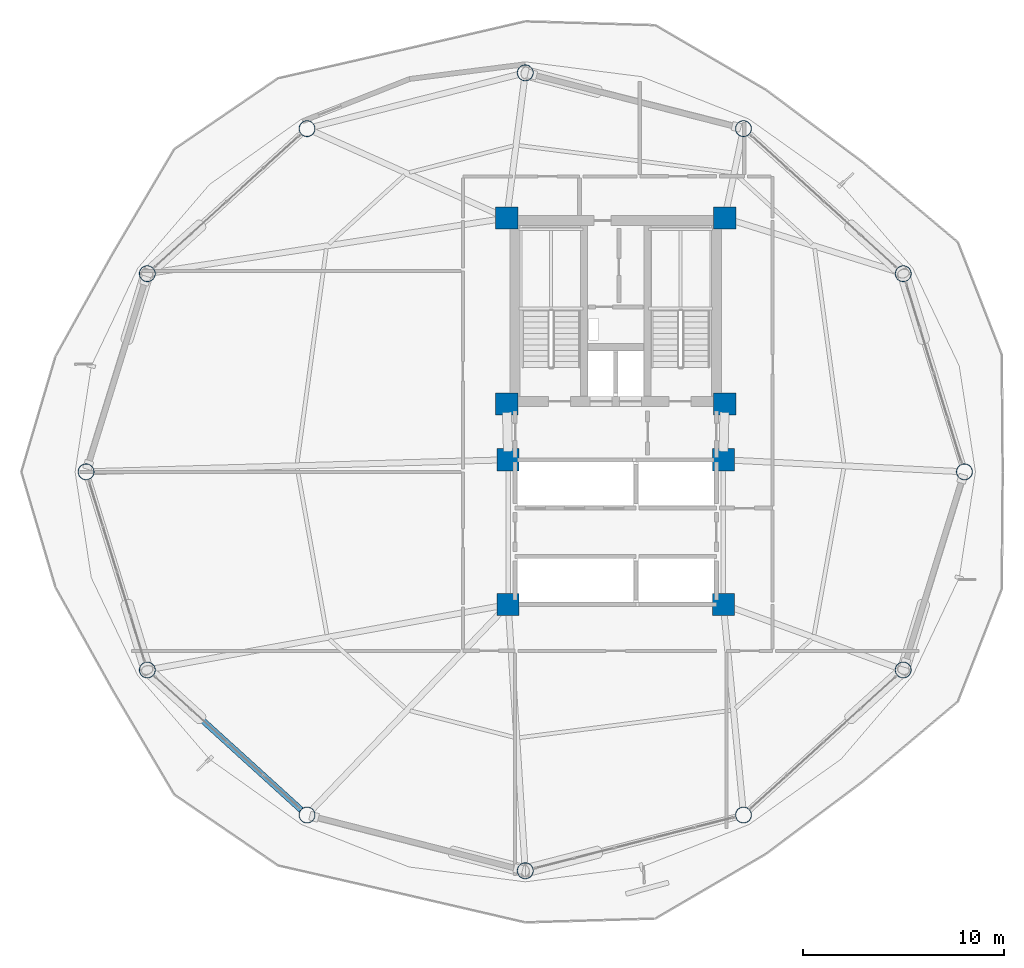
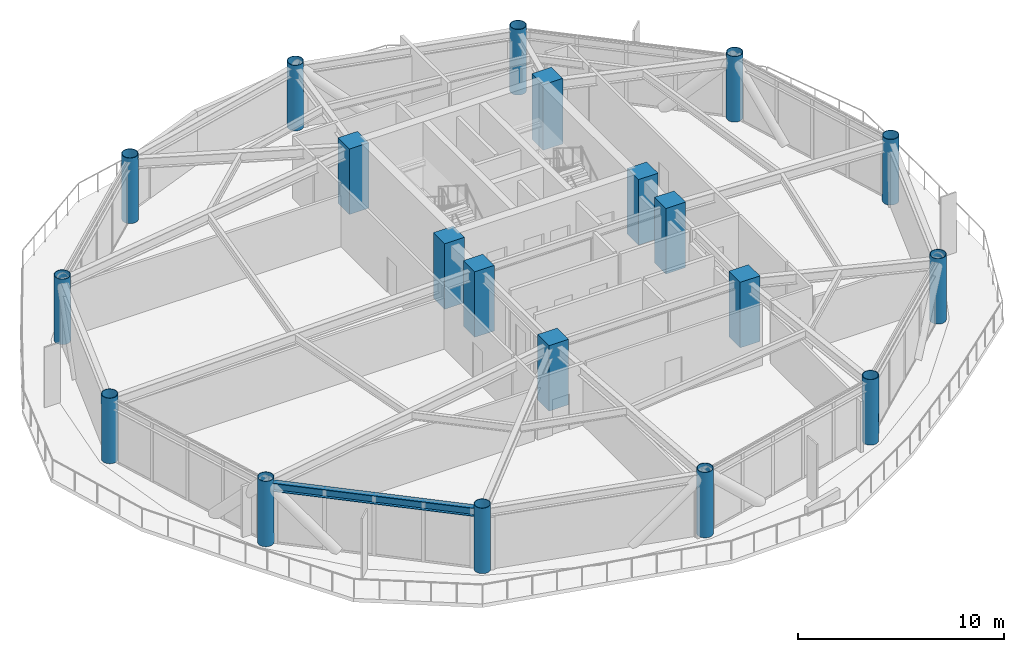
# One storey, part 1 of 23: 20 columns, 1 beam.
"""IFC4 building model written with IfcOpenShell, lengths in metres."""

from ifc_helpers import new_model, si_unit, direction, frame, origin, origin_2d, place, context, subcontext, project, spatial, rectangle, hollow_circle, i_section, extrude, material, material_profile, profile_set, type_object, element, save


model = new_model("IFC4")

# Units and contexts
model_context = context("Model", 3, precision=1e-05, world=origin(), true_north=direction((0.0, 1.0)))
body_context = subcontext(model_context, "Body", "Model", "MODEL_VIEW")
ifc_project = project(units=[si_unit("LENGTHUNIT", "METRE"), si_unit("AREAUNIT", "SQUARE_METRE"), si_unit("VOLUMEUNIT", "CUBIC_METRE"), si_unit("PLANEANGLEUNIT", "RADIAN"), si_unit("MASSUNIT", "GRAM", prefix="KILO")], contexts=[model_context])

# Site, building, storey
site_placement = place(None, origin())
site = spatial("IfcSite", under=ifc_project, at=site_placement, CompositionType="ELEMENT")
building_placement = place(site_placement, origin())
building = spatial("IfcBuilding", under=site, at=building_placement, Name="Varnakorn Sky Granary", CompositionType="ELEMENT")
storey_placement = place(building_placement, frame((0.0, 0.0, 83.699951171875)))
storey = spatial("IfcBuildingStorey", under=building, at=storey_placement, Name="L20", CompositionType="ELEMENT", Elevation=83.699951171875)

# Columns
ifc_material_1 = material(Name="Steel S460M", Category="steel")
ifc_material_profile_1 = material_profile(ifc_material_1, hollow_circle(Radius=0.406494140625, WallThickness=0.030029296875, at=origin_2d()), Name="CHS 813x30")
ifc_profile_set_1 = profile_set([ifc_material_profile_1], Name="Steel S460M")
column_type_1 = type_object("IfcColumnType", Name="COL-DC-Z2", PredefinedType="COLUMN", material=ifc_profile_set_1)
for number, where, z_axis, x_axis, name in (
    (1, (20.340087890625, 0.0, 0.0), (0.002583156704, 0.0, 0.999996663645), (0.0, 1.0, 0.0), "Drum Perimeter Column DC01 L20"),
    (2, (17.297119140625, 9.853515625, 0.0), (0.002205134647, 0.001008061553, 0.999997060592), (-0.415759760268, 0.909474475586, 0.0), "Drum Perimeter Column DC02 L20"),
    (3, (9.3525390625, 17.06689453125, 0.0), (0.001260077684, 0.001764108758, 0.999997650059), (-0.813733471207, 0.581238193719, 0.0), "Drum Perimeter Column DC03 L20"),
    (4, (-1.5, 19.842041015625, 0.0), (0.0, 0.002079128571, 0.99999783861), (-1.0, 0.0, 0.0), "Drum Perimeter Column DC04 L20"),
    (5, (-12.3525390625, 17.06689453125, 0.0), (-0.001260077684, 0.001764108758, 0.999997650059), (-0.813733471207, -0.581238193719, 0.0), "Drum Perimeter Column DC05 L20"),
    (6, (-20.297119140625, 9.853515625, 0.0), (-0.002205134647, 0.001008061553, 0.999997060592), (-0.415759760268, -0.909474475586, 0.0), "Drum Perimeter Column DC06 L20"),
    (7, (-23.340087890625, 0.0, 0.0), (-0.002583156704, 0.0, 0.999996663645), (0.0, -1.0, 0.0), "Drum Perimeter Column DC07 L20"),
    (8, (-20.297119140625, -9.853515625, 0.0), (-0.002205134647, -0.001008061553, 0.999997060592), (0.415759760268, -0.909474475586, 0.0), "Drum Perimeter Column DC08 L20"),
    (9, (-12.3525390625, -17.06689453125, 0.0), (-0.001260077684, -0.001764108758, 0.999997650059), (0.813733471207, -0.581238193719, 0.0), "Drum Perimeter Column DC09 L20"),
    (10, (-1.5, -19.842041015625, 0.0), (0.0, -0.002079128571, 0.99999783861), (1.0, 0.0, 0.0), "Drum Perimeter Column DC10 L20"),
    (11, (9.3525390625, -17.06689453125, 0.0), (0.001260077684, -0.001764108758, 0.999997650059), (0.813733471207, 0.581238193719, 0.0), "Drum Perimeter Column DC11 L20"),
    (12, (17.297119140625, -9.853515625, 0.0), (0.002205134647, -0.001008061553, 0.999997060592), (0.415759760268, 0.909474475586, 0.0), "Drum Perimeter Column DC12 L20"),
):
    element("IfcColumn", number, at=place(storey_placement, frame(where, z_axis=z_axis, x_axis=x_axis)), inside=storey, type_object=column_type_1, Name=name, PredefinedType="COLUMN", context=body_context, shape_type="SweptSolid", body=[
        extrude(hollow_circle(Radius=0.406494140625, WallThickness=0.030029296875, at=origin_2d()), origin(), (0.0, 0.0, 1.0), 3.875),
    ])
ifc_material_2 = material(Name="Concrete C60/75", Category="concrete")
ifc_material_profile_2 = material_profile(ifc_material_2, rectangle(XDim=1.10009765625, YDim=1.10009765625, at=origin_2d()), Name="RC 1100x1100")
ifc_profile_set_2 = profile_set([ifc_material_profile_2], Name="Concrete C60/75")
column_type_2 = type_object("IfcColumnType", Name="COL-MC-Z2", PredefinedType="COLUMN", material=ifc_profile_set_2)
for number, where, z_axis, x_axis, name in (
    (13, (-2.419921875, 12.6201171875, 0.0), (0.0, 0.0, 1.0), (1.0, 0.0, 0.0), "Backbone Mega-Column MC1 L20"),
    (14, (8.419921875, 12.6201171875, 0.0), (0.0, 0.0, 1.0), (1.0, 0.0, 0.0), "Backbone Mega-Column MC2 L20"),
    (15, (-2.419921875, 3.3798828125, 0.0), (0.0, 0.0, 1.0), (1.0, 0.0, 0.0), "Backbone Mega-Column MC3 L20"),
    (16, (8.419921875, 3.3798828125, 0.0), (0.0, 0.0, 1.0), (1.0, 0.0, 0.0), "Backbone Mega-Column MC4 L20"),
    (17, (-2.35009765625, 0.60009765625, 0.0), (0.0, 0.0, 1.0), (1.0, 0.0, 0.0), "Backbone Mega-Column MC5 L20"),
    (18, (8.35009765625, 0.60009765625, 0.0), (0.0, 0.0, 1.0), (1.0, 0.0, 0.0), "Backbone Mega-Column MC6 L20"),
    (19, (-2.35009765625, -6.60009765625, 0.0), (0.0, 0.0, 1.0), (1.0, 0.0, 0.0), "Backbone Mega-Column MC7 L20"),
    (20, (8.35009765625, -6.60009765625, 0.0), (0.0, 0.0, 1.0), (1.0, 0.0, 0.0), "Backbone Mega-Column MC8 L20"),
):
    element("IfcColumn", number, at=place(storey_placement, frame(where, z_axis=z_axis, x_axis=x_axis)), inside=storey, type_object=column_type_2, Name=name, PredefinedType="COLUMN", context=body_context, shape_type="SweptSolid", body=[
        extrude(rectangle(XDim=1.10009765625, YDim=1.10009765625, at=origin_2d()), origin(), (0.0, 0.0, 1.0), 3.875),
    ])

# Beam
ifc_material_3 = material(Name="Steel S355JR", Category="steel")
ifc_material_profile_3 = material_profile(ifc_material_3, i_section(OverallWidth=0.300048828125, OverallDepth=0.5, WebThickness=0.014404296875, FlangeThickness=0.028076171875, at=origin_2d()), Name="HE 500 B")
ifc_profile_set_3 = profile_set([ifc_material_profile_3], Name="Steel S355JR")
beam_type = type_object("IfcBeamType", Name="BM-SPD-Z2", PredefinedType="SPANDREL", material=ifc_profile_set_3)
beam_placement = place(storey_placement, frame((-20.015869140625, -10.12060546875, 3.39013671875), z_axis=(0.740370602022, -0.67219890781, 0.0), x_axis=(0.67219890781, 0.740370602022, 0.0)))
element("IfcBeam", 21, at=beam_placement, inside=storey, type_object=beam_type, Name="Perimeter Spandrel Ring Beam RB08 L20", PredefinedType="SPANDREL", context=body_context, shape_type="SweptSolid", body=[
    extrude(i_section(OverallWidth=0.300048828125, OverallDepth=0.5, WebThickness=0.014404296875, FlangeThickness=0.028076171875, at=origin_2d()), origin(), (0.0, 0.0, 1.0), 9.952392578125),
])

save(model, "model.ifc")
